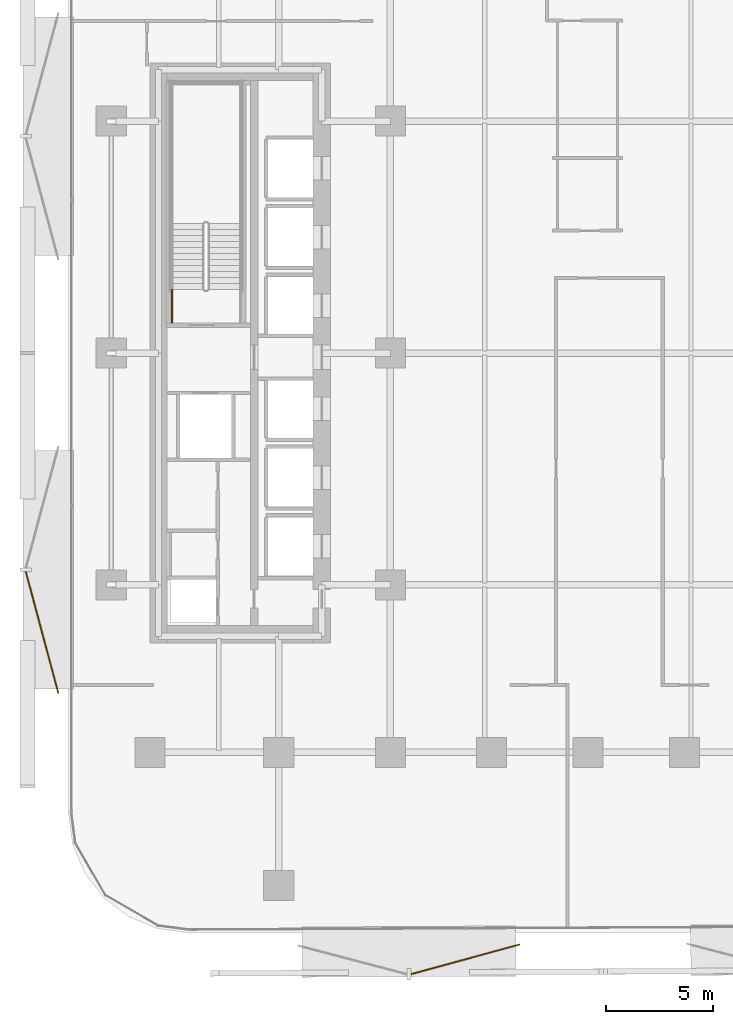
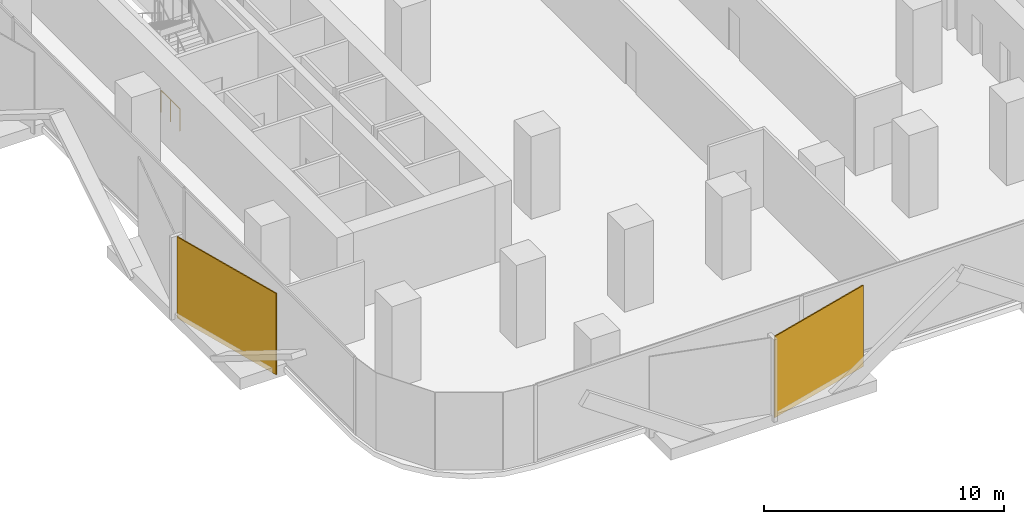
# One storey, part 11 of 15: 2 coverings, 1 railing.
"""IFC4 building model written with IfcOpenShell, lengths in metres."""

from ifc_helpers import new_model, si_unit, direction, frame, origin, origin_2d, place, context, subcontext, project, spatial, rectangle, circle, extrude, material, layer, layer_set, type_object, element, save


model = new_model("IFC4")

# Units and contexts
model_context = context("Model", 3, precision=1e-05, world=origin(), true_north=direction((0.0, 1.0)))
body_context = subcontext(model_context, "Body", "Model", "MODEL_VIEW")
ifc_project = project(units=[si_unit("LENGTHUNIT", "METRE"), si_unit("AREAUNIT", "SQUARE_METRE"), si_unit("VOLUMEUNIT", "CUBIC_METRE"), si_unit("PLANEANGLEUNIT", "RADIAN"), si_unit("MASSUNIT", "GRAM", prefix="KILO")], contexts=[model_context])

# Site, building, storey
site_placement = place(None, origin())
site = spatial("IfcSite", under=ifc_project, at=site_placement, CompositionType="ELEMENT")
building_placement = place(site_placement, origin())
building = spatial("IfcBuilding", under=site, at=building_placement, Name="Khairoan Windgate Tower", CompositionType="ELEMENT")
storey_placement = place(building_placement, frame((0.0, 0.0, 59.60009765625)))
storey = spatial("IfcBuildingStorey", under=building, at=storey_placement, Name="L14", CompositionType="ELEMENT", Elevation=59.60009765625)

# Coverings
ifc_material_1 = material(Name="Anodised Bronze Aluminium 6063-T6", Category="aluminium")
ifc_layer = layer(ifc_material_1, 0.054931640625, Name="Anodised Bronze Aluminium 6063-T6")
ifc_layer_set = layer_set([ifc_layer], Name="Anodised Bronze Aluminium 6063-T6")
covering_type = type_object("IfcCoveringType", Name="Perforated Bronze-Ceramic Folded Solar Screen Cladding BSC-1", PredefinedType="CLADDING", material=ifc_layer_set)
covering_1_placement = place(storey_placement, frame((-5.70751953125, -28.238037109375, -0.10009765625), z_axis=(0.0, 0.0, 1.0), x_axis=(-0.964649468762, -0.263536339841, 0.0)))
element("IfcCovering", 1, at=covering_1_placement, inside=storey, type_object=covering_type, Name="L14 Folded Bronze Solar Screen Facet 66L", PredefinedType="CLADDING", context=body_context, shape_type="SweptSolid", body=[
    extrude(rectangle(XDim=5.25, YDim=0.054931640625, at=origin_2d()), origin(), (0.0, 0.0, 1.0), 4.139892578125),
])
covering_2_placement = place(storey_placement, frame((-25.42236328125, -13.01318359375, -0.10009765625), z_axis=(0.0, 0.0, 1.0), x_axis=(-0.258819045103, 0.965925826289, 0.0)))
element("IfcCovering", 2, at=covering_2_placement, inside=storey, type_object=covering_type, Name="L14 Folded Bronze Solar Screen Facet 67L", PredefinedType="CLADDING", context=body_context, shape_type="SweptSolid", body=[
    extrude(rectangle(XDim=5.85498046875, YDim=0.054931640625, at=origin_2d()), origin(), (0.0, 0.0, 1.0), 4.139892578125),
])

# Railing
ifc_material_2 = material(Name="Steel S355", Category="steel")
railing_type = type_object("IfcRailingType", Name="Stairwell Safety Guardrail SGR-1150", PredefinedType="GUARDRAIL", material=ifc_material_2)
railing_placement = place(storey_placement, frame((-19.3701171875, 1.39990234375, 0.0)))
element("IfcRailing", 3, at=railing_placement, inside=storey, type_object=railing_type, Name="L14 ST2 stair guard 9", PredefinedType="GUARDRAIL", context=body_context, shape_type="SweptSolid", body=[
    extrude(circle(Radius=0.02392578125, at=origin_2d()), frame((0.0, 0.0, 1.1259765625), z_axis=(0.0, 1.0, 0.0), x_axis=(-1.0, 0.0, 0.0)), (0.0, 0.0, 1.0), 1.56005859375),
    extrude(circle(Radius=0.02099609375, at=origin_2d()), origin(), (0.0, 0.0, 1.0), 1.101806640625),
    extrude(circle(Radius=0.02099609375, at=origin_2d()), frame((0.0, 0.780029296875, 0.0)), (0.0, 0.0, 1.0), 1.101806640625),
    extrude(circle(Radius=0.02099609375, at=origin_2d()), frame((0.0, 1.56005859375, 0.0)), (0.0, 0.0, 1.0), 1.101806640625),
])

save(model, "model.ifc")
